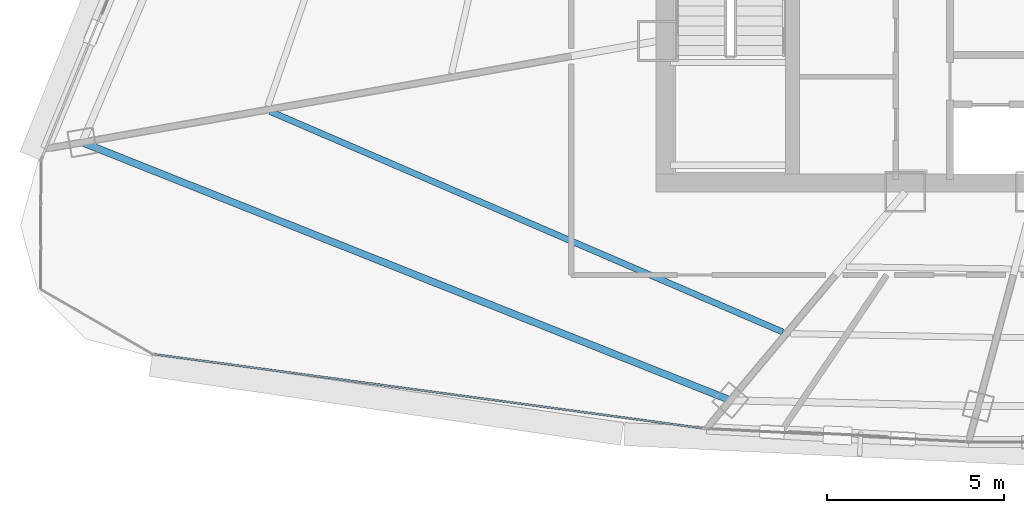
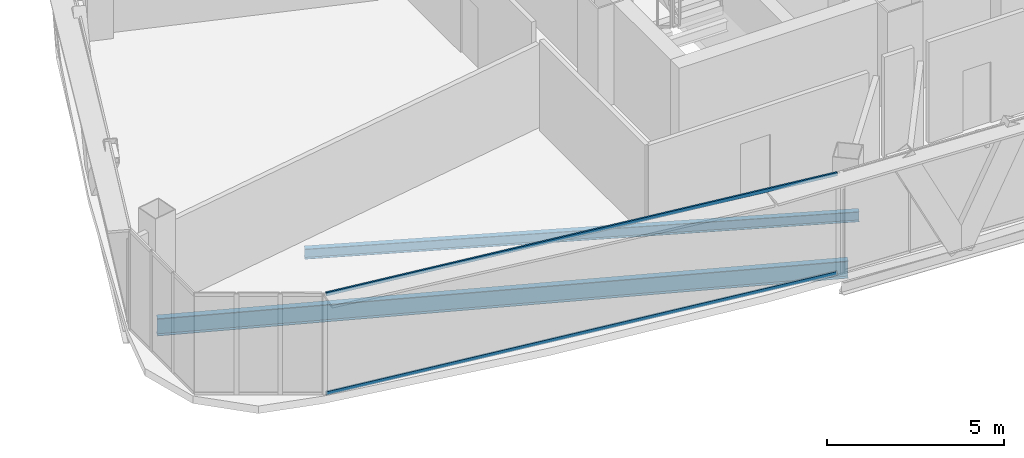
# One storey, part 3 of 33: 2 beams, 2 members, 1 element without a shape of its own.
"""IFC4 building model written with IfcOpenShell, lengths in metres."""

from ifc_helpers import new_model, si_unit, direction, frame, origin, origin_2d, place, context, subcontext, project, spatial, hollow_rectangle, i_section, extrude, source, transform, mapped, material, layer, layer_set, material_profile, profile_set, type_object, element, aggregate, save


model = new_model("IFC4")

# Units and contexts
model_context = context("Model", 3, precision=1e-05, world=origin(), true_north=direction((0.0, 1.0)))
body_context = subcontext(model_context, "Body", "Model", "MODEL_VIEW")
ifc_project = project(units=[si_unit("LENGTHUNIT", "METRE"), si_unit("AREAUNIT", "SQUARE_METRE"), si_unit("VOLUMEUNIT", "CUBIC_METRE"), si_unit("PLANEANGLEUNIT", "RADIAN"), si_unit("MASSUNIT", "GRAM", prefix="KILO"), si_unit("THERMODYNAMICTEMPERATUREUNIT", "KELVIN"), si_unit("POWERUNIT", "WATT")], contexts=[model_context])

# Site, building, storey
site_placement = place(None, origin())
site = spatial("IfcSite", under=ifc_project, at=site_placement, CompositionType="ELEMENT")
building_placement = place(site_placement, origin())
building = spatial("IfcBuilding", under=site, at=building_placement, Name="Yunzhuo Pagoda Commons", CompositionType="ELEMENT")
storey_placement = place(building_placement, frame((0.0, 0.0, 311.1298828125)))
storey = spatial("IfcBuildingStorey", under=building, at=storey_placement, Name="L78", CompositionType="ELEMENT", Elevation=311.1298828125)

# Beams
ifc_material_1 = material(Name="Structural steel Q355B", Category="steel")
ifc_material_profile_1 = material_profile(ifc_material_1, i_section(OverallWidth=0.199951171875, OverallDepth=0.60009765625, WebThickness=0.010986328125, FlangeThickness=0.01708984375, at=origin_2d()), Name="Structural steel Q355B")
ifc_profile_set_1 = profile_set([ifc_material_profile_1], Name="Structural steel Q355B")
beam_type_1 = type_object("IfcBeamType", Name="B-RG3 Beam HN 600x200x11x17", PredefinedType="BEAM", material=ifc_profile_set_1)
shared_shape_1 = source(origin(), body_context, "Body", "SweptSolid", [
    extrude(i_section(OverallWidth=0.199951171875, OverallDepth=0.60009765625, WebThickness=0.010986328125, FlangeThickness=0.01708984375, at=origin_2d()), origin(), (0.0, 0.0, 1.0), 19.70458984375),
])
beam_1_placement = place(storey_placement, frame((19.33837890625, 28.646240234375, -0.559814453125), z_axis=(0.929153602905, -0.369693903396, 0.0), x_axis=(0.369693903396, 0.929153602905, 0.0)))
element("IfcBeam", 1, at=beam_1_placement, inside=storey, type_object=beam_type_1, Name="L78 column-ring beam 12", PredefinedType="BEAM", context=body_context, shape_type="MappedRepresentation", body=[
    mapped(shared_shape_1, transform((0.0, 0.0, 0.0), scale=1.0)),
])
ifc_material_profile_2 = material_profile(ifc_material_1, i_section(OverallWidth=0.175048828125, OverallDepth=0.35009765625, WebThickness=0.007080078125, FlangeThickness=0.010986328125, at=origin_2d()), Name="Structural steel Q355B")
ifc_profile_set_2 = profile_set([ifc_material_profile_2], Name="Structural steel Q355B")
beam_type_2 = type_object("IfcBeamType", Name="B-JS2 Joist HN 350x175x7x11", PredefinedType="JOIST", material=ifc_profile_set_2)
shared_shape_2 = source(origin(), body_context, "Body", "SweptSolid", [
    extrude(i_section(OverallWidth=0.175048828125, OverallDepth=0.35009765625, WebThickness=0.007080078125, FlangeThickness=0.010986328125, at=origin_2d()), origin(), (0.0, 0.0, 1.0), 15.757568359375),
])
beam_2_placement = place(storey_placement, frame((24.647705078125, 29.5185546875, -0.434814453125), z_axis=(0.918597596679, -0.395194199573, 0.0), x_axis=(0.395194199573, 0.918597596679, 0.0)))
element("IfcBeam", 2, at=beam_2_placement, inside=storey, type_object=beam_type_2, Name="L78 composite ring joist 2.12", PredefinedType="JOIST", context=body_context, shape_type="MappedRepresentation", body=[
    mapped(shared_shape_2, transform((0.0, 0.0, 0.0), scale=1.0)),
])

# Curtain wall, members
ifc_material_2 = material(Name="Anodized aluminium 6063-T6", Category="aluminium")
ifc_layer = layer(ifc_material_2, 0.139892578125)
ifc_layer_set = layer_set([ifc_layer], Name="Anodized aluminium 6063-T6")
curtain_wall_type = type_object("IfcCurtainWallType", Name="CW-HI High-Zone Ribbon Curtain Wall", PredefinedType="NOTDEFINED", material=ifc_layer_set)
curtain_wall_placement = place(storey_placement, origin())
curtain_wall = element("IfcCurtainWall", 3, at=curtain_wall_placement, inside=storey, type_object=curtain_wall_type, Name="L78 curtain wall CW-L78-F1B1", PredefinedType="NOTDEFINED")
ifc_material_profile_3 = material_profile(ifc_material_2, hollow_rectangle(XDim=0.054931640625, YDim=0.1201171875, WallThickness=0.00341796875, at=origin_2d()), Name="Anodized aluminium 6063-T6")
ifc_profile_set_3 = profile_set([ifc_material_profile_3], Name="Anodized aluminium 6063-T6")
member_type = type_object("IfcMemberType", Name="CW-HI-T Transom RHS 120x55x3.5", PredefinedType="USERDEFINED", material=ifc_profile_set_3)
shared_shape_3 = source(origin(), body_context, "Body", "SweptSolid", [
    extrude(hollow_rectangle(XDim=0.054931640625, YDim=0.1201171875, WallThickness=0.00341796875, at=origin_2d()), origin(), (0.0, 0.0, 1.0), 15.591796875),
])
member_1_placement = place(storey_placement, frame((21.385986328125, 22.656982421875, 0.027587890625), z_axis=(0.991046322825, -0.133518485665, 0.0), x_axis=(0.133518485665, 0.991046322825, 0.0)))
member_1 = element("IfcMember", 4, at=member_1_placement, type_object=member_type, Name="CW transom 1.1", ObjectType="TRANSOM", PredefinedType="USERDEFINED", context=body_context, shape_type="MappedRepresentation", body=[
    mapped(shared_shape_3, transform((0.0, 0.0, 0.0), scale=1.0)),
])
member_2_placement = place(storey_placement, frame((21.385986328125, 22.656982421875, 3.442626953125), z_axis=(0.991046322825, -0.133518485665, 0.0), x_axis=(0.133518485665, 0.991046322825, 0.0)))
member_2 = element("IfcMember", 5, at=member_2_placement, type_object=member_type, Name="CW transom 1.2", ObjectType="TRANSOM", PredefinedType="USERDEFINED", context=body_context, shape_type="MappedRepresentation", body=[
    mapped(shared_shape_3, transform((0.0, 0.0, 0.0), scale=1.0)),
])
aggregate(curtain_wall, [member_1, member_2])

save(model, "model.ifc")
